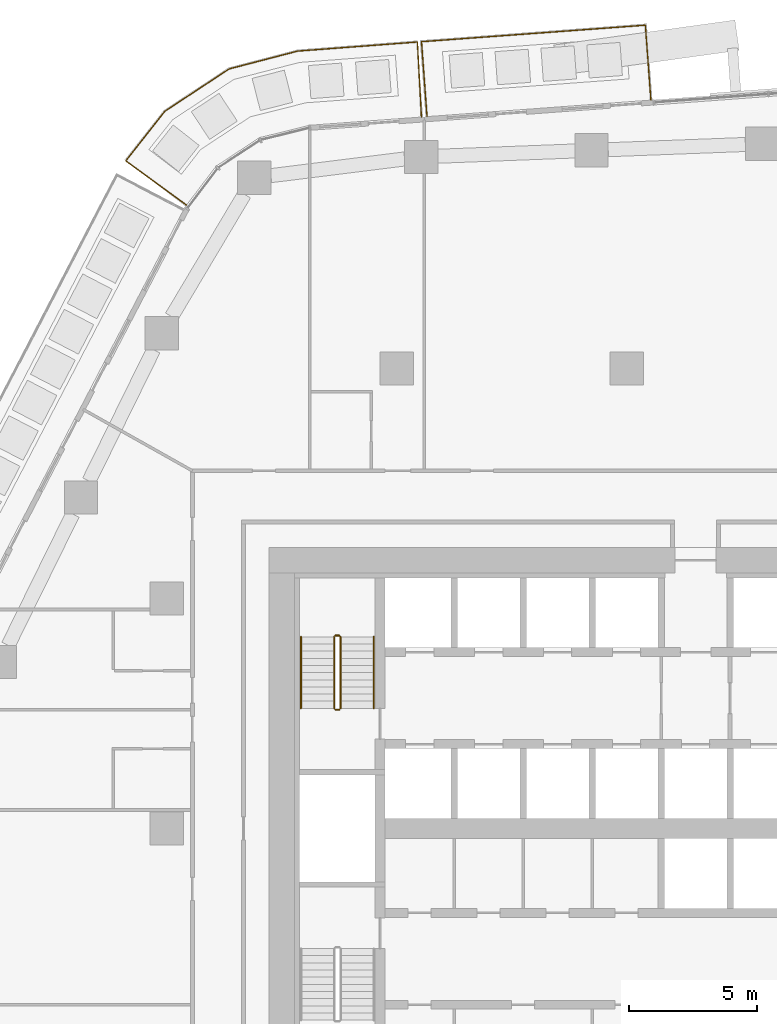
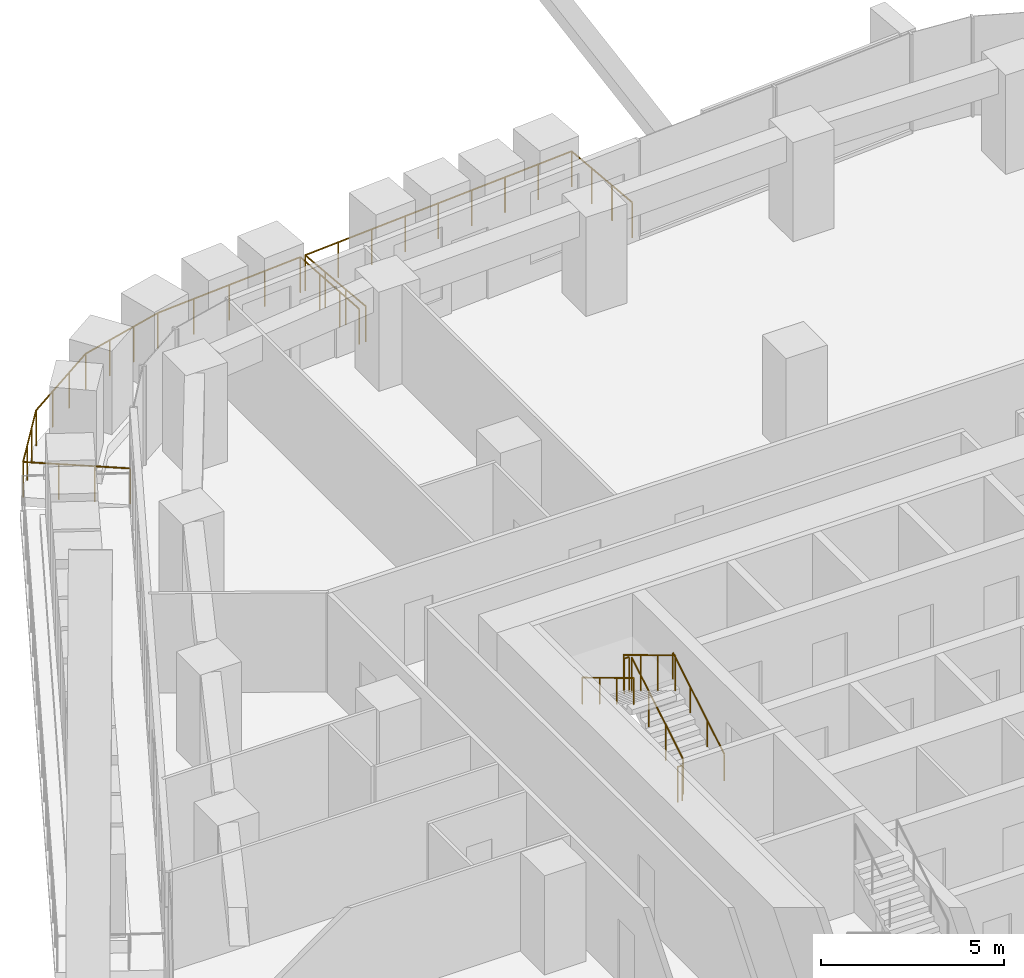
# One storey, part 22 of 24: 8 railings.
"""IFC4 building model written with IfcOpenShell, lengths in metres."""

import ifcopenshell
import ifcopenshell.guid

model = None  # the IFC model being written
_history = None  # IfcOwnerHistory: only IFC2X3 demands one
_inside = {}  # id of a spatial element -> (the spatial element, [elements in it])
_under = {}  # id of a project, library or spatial element -> (it, [spatial elements below it])
_declared = {}  # id of a project -> (the project, [libraries it declares])
_typed = {}  # id of a type object -> (the type object, [elements of that type])
_made_of = {}  # id of a material, layer set ... -> (it, [elements and type objects made of it])


def new_model(schema):
    """Start an empty IFC model of exactly this schema.

    Asked for "IFC4X3", IfcOpenShell would pick the latest addendum, in which some entities
    have other attributes; the version numbers below select the first issue.
    IFC2X3 requires an IfcOwnerHistory on every rooted entity: one is made here for all.
    """
    global model, _history
    if schema == "IFC4X3":
        model = ifcopenshell.file(schema_version=(4, 3, 0, 0))
    else:
        model = ifcopenshell.file(schema=schema)
    _inside.clear()
    _under.clear()
    _declared.clear()
    _typed.clear()
    _made_of.clear()
    _history = None
    if model.schema == "IFC2X3":
        org = make("IfcOrganization", Name="unknown")
        user = make(
            "IfcPersonAndOrganization",
            ThePerson=make("IfcPerson", FamilyName="unknown"),
            TheOrganization=org,
        )
        app = make(
            "IfcApplication",
            ApplicationDeveloper=org,
            Version="unknown",
            ApplicationFullName="unknown",
            ApplicationIdentifier="unknown",
        )
        _history = make(
            "IfcOwnerHistory",
            OwningUser=user,
            OwningApplication=app,
            ChangeAction="ADDED",
            CreationDate=0,
        )
    return model


def make(cls, **values):
    """One entity of the class cls with the attributes given. An attribute that is None is left unset."""
    return model.create_entity(
        cls, **{name: value for name, value in values.items() if value is not None}
    )


def rooted(cls, **values):
    """An entity with a GlobalId (a new one), such as an element, a storey or a relation."""
    return make(cls, GlobalId=ifcopenshell.guid.new(), OwnerHistory=_history, **values)


def si_unit(unit_type, name, prefix=None):
    """IfcSIUnit, for example si_unit("LENGTHUNIT", "METRE", prefix="MILLI")."""
    return make("IfcSIUnit", UnitType=unit_type, Prefix=prefix, Name=name)


def assignment(units):
    """IfcUnitAssignment: the units of a project."""
    return None if units is None else make("IfcUnitAssignment", Units=units)


def point(xyz):
    """IfcCartesianPoint."""
    return None if xyz is None else make("IfcCartesianPoint", Coordinates=xyz)


def direction(xyz):
    """IfcDirection."""
    return None if xyz is None else make("IfcDirection", DirectionRatios=xyz)


def frame(location, z_axis=None, x_axis=None):
    """IfcAxis2Placement3D, a coordinate frame: its origin and axes. An axis left out is left unset."""
    return make(
        "IfcAxis2Placement3D",
        Location=point(location),
        Axis=direction(z_axis),
        RefDirection=direction(x_axis),
    )


def frame_2d(location, x_axis=None):
    """IfcAxis2Placement2D, a coordinate frame in the plane: its origin and x axis."""
    return make(
        "IfcAxis2Placement2D", Location=point(location), RefDirection=direction(x_axis)
    )


def origin():
    """The frame at (0, 0, 0) with its axes left unset."""
    return frame((0.0, 0.0, 0.0))


def origin_2d():
    """The frame at (0, 0) in the plane with its x axis left unset."""
    return frame_2d((0.0, 0.0))


def place(relative_to, where):
    """IfcLocalPlacement: puts the frame where relative to a parent placement (None: the world)."""
    return make(
        "IfcLocalPlacement", PlacementRelTo=relative_to, RelativePlacement=where
    )


def context(
    kind, dimensions, precision=None, world=None, true_north=None, identifier=None
):
    """IfcGeometricRepresentationContext, for example the 3D "Model" context."""
    return make(
        "IfcGeometricRepresentationContext",
        ContextIdentifier=identifier,
        ContextType=kind,
        CoordinateSpaceDimension=dimensions,
        Precision=precision,
        WorldCoordinateSystem=world,
        TrueNorth=true_north,
    )


def subcontext(parent, identifier, kind, view, scale=None):
    """IfcGeometricRepresentationSubContext, for example "Body" below "Model"."""
    return make(
        "IfcGeometricRepresentationSubContext",
        ContextIdentifier=identifier,
        ContextType=kind,
        ParentContext=parent,
        TargetScale=scale,
        TargetView=view,
    )


def project(units=None, contexts=None):
    """IfcProject with its units and contexts."""
    return rooted(
        "IfcProject",
        Name="project",
        RepresentationContexts=contexts,
        UnitsInContext=assignment(units),
    )


def spatial(cls, under=None, at=None, **own):
    """A site, building, storey or space (cls), placed at a placement, below another one or the project."""
    s = rooted(cls, ObjectPlacement=at, **own)
    if under is not None:
        _under.setdefault(under.id(), (under, []))[1].append(s)
    return s


def profile(cls, at=None, kind="AREA", **sizes):
    """A parametric profile (cls). Its sizes go by their IFC names, for example OverallWidth=200.0."""
    return make(cls, ProfileType=kind, Position=at, **sizes)


def circle(**sizes):
    """IfcCircleProfileDef."""
    return profile("IfcCircleProfileDef", **sizes)


def extrude(swept, where, along, depth):
    """IfcExtrudedAreaSolid: the profile swept, set in the frame where, extruded along a direction by depth."""
    return make(
        "IfcExtrudedAreaSolid",
        SweptArea=swept,
        Position=where,
        ExtrudedDirection=direction(along),
        Depth=depth,
    )


def shape(context_of_items, identifier, shape_type, items):
    """IfcShapeRepresentation: the items that make up one representation, for example the "Body"."""
    return make(
        "IfcShapeRepresentation",
        ContextOfItems=context_of_items,
        RepresentationIdentifier=identifier,
        RepresentationType=shape_type,
        Items=items,
    )


def material(Name=None, Category=None):
    """IfcMaterial."""
    return make("IfcMaterial", Name=Name, Category=Category)


def made_of(thing, what):
    """Note that an element or type object is made of a material, layer set ...; save() writes the relation."""
    if what is not None:
        _made_of.setdefault(what.id(), (what, []))[1].append(thing)
    return thing


def type_object(cls, material=None, **own):
    """A type object (cls), such as IfcWallType, which elements share."""
    return made_of(rooted(cls, **own), material)


def element(
    cls,
    number,
    at=None,
    inside=None,
    cuts=None,
    type_object=None,
    material=None,
    context=None,
    identifier="Body",
    shape_type=None,
    held_by="IfcProductDefinitionShape",
    body=None,
    shapes=None,
    **own,
):
    """One element of the class cls, such as IfcWall. Its Tag is "e" and its number.

    at: its placement. inside: the storey or other place that contains it. cuts: it is an
    opening in that element (IfcRelVoidsElement). A single representation is given by context,
    identifier, shape_type and body (its items); several are given by shapes. held_by: the class
    of the entity that holds the representations. save() writes the other relations.
    """
    e = rooted(cls, Tag="e%d" % number, ObjectPlacement=at, **own)
    if body is not None:
        shapes = [shape(context, identifier, shape_type, body)]
    if shapes is not None:
        e.Representation = make(held_by, Representations=shapes)
    if inside is not None:
        _inside.setdefault(inside.id(), (inside, []))[1].append(e)
    if cuts is not None:
        rooted(
            "IfcRelVoidsElement", RelatingBuildingElement=cuts, RelatedOpeningElement=e
        )
    if type_object is not None:
        _typed.setdefault(type_object.id(), (type_object, []))[1].append(e)
    return made_of(e, material)


def aggregate(whole, parts):
    """IfcRelAggregates: a whole, such as a stair, and the parts it consists of."""
    return rooted("IfcRelAggregates", RelatingObject=whole, RelatedObjects=parts)


def save(model, path):
    """Write the relations noted so far, then the file.

    IfcRelAggregates (storeys below a building ...), IfcRelContainedInSpatialStructure (elements
    in a storey), IfcRelDefinesByType, IfcRelAssociatesMaterial and IfcRelDeclares: one each for
    every whole, place, type object, material and project.
    """
    for whole, parts in _under.values():
        aggregate(whole, parts)
    for where, things in _inside.values():
        rooted(
            "IfcRelContainedInSpatialStructure",
            RelatedElements=things,
            RelatingStructure=where,
        )
    for kind, things in _typed.values():
        rooted("IfcRelDefinesByType", RelatedObjects=things, RelatingType=kind)
    for what, things in _made_of.values():
        rooted("IfcRelAssociatesMaterial", RelatedObjects=things, RelatingMaterial=what)
    for by, libraries in _declared.values():
        rooted("IfcRelDeclares", RelatingContext=by, RelatedDefinitions=libraries)
    model.write(path)


model = new_model("IFC4")

# Units and contexts
model_context = context("Model", 3, precision=1e-05, world=origin(), true_north=direction((0.0, 1.0)))
body_context = subcontext(model_context, "Body", "Model", "MODEL_VIEW")
ifc_project = project(units=[si_unit("LENGTHUNIT", "METRE"), si_unit("AREAUNIT", "SQUARE_METRE"), si_unit("VOLUMEUNIT", "CUBIC_METRE"), si_unit("PLANEANGLEUNIT", "RADIAN"), si_unit("MASSUNIT", "GRAM", prefix="KILO")], contexts=[model_context])

# Site, building, storey
site_placement = place(None, origin())
site = spatial("IfcSite", under=ifc_project, at=site_placement, CompositionType="ELEMENT")
building_placement = place(site_placement, origin())
building = spatial("IfcBuilding", under=site, at=building_placement, Name="Dongbaek Canopy Tower", CompositionType="ELEMENT")
storey_placement = place(building_placement, frame((0.0, 0.0, 128.5)))
storey = spatial("IfcBuildingStorey", under=building, at=storey_placement, Name="L28", CompositionType="ELEMENT", Elevation=128.5)

# Railings
ifc_material_1 = material(Name="Stainless steel", Category="steel")
railing_type_1 = type_object("IfcRailingType", Name="Balcony balustrade 1200", PredefinedType="BALUSTRADE", material=ifc_material_1)
railing_1_placement = place(storey_placement, frame((0.94775390625, 28.5107421875, 0.0)))
element("IfcRailing", 1, at=railing_1_placement, inside=storey, type_object=railing_type_1, Name="Balcony guard L28 1", PredefinedType="BALUSTRADE", context=body_context, shape_type="SweptSolid", body=[
    extrude(circle(Radius=0.02392578125, at=origin_2d()), frame((0.0, 0.0, 1.17578125), z_axis=(-0.073489339085, 0.99729600272, 0.0), x_axis=(-0.99729600272, -0.073489339085, 0.0)), (0.0, 0.0, 1.0), 2.940185546875),
    extrude(circle(Radius=0.02392578125, at=origin_2d()), frame((-0.216064453125, 2.93212890625, 1.17578125), z_axis=(-0.997293170892, -0.07352775865, 0.0), x_axis=(0.07352775865, -0.997293170892, 0.0)), (0.0, 0.0, 1.0), 8.78564453125),
    extrude(circle(Radius=0.02392578125, at=origin_2d()), frame((-8.97802734375, 2.2861328125, 1.17578125), z_axis=(0.073489339085, -0.99729600272, 0.0), x_axis=(0.99729600272, 0.073489339085, 0.0)), (0.0, 0.0, 1.0), 2.940185546875),
    extrude(circle(Radius=0.02099609375, at=origin_2d()), origin(), (0.0, 0.0, 1.0), 1.15185546875),
    extrude(circle(Radius=0.02099609375, at=origin_2d()), frame((-0.072021484375, 0.977294921875, 0.0)), (0.0, 0.0, 1.0), 1.15185546875),
    extrude(circle(Radius=0.02099609375, at=origin_2d()), frame((-0.14404296875, 1.954833984375, 0.0)), (0.0, 0.0, 1.0), 1.15185546875),
    extrude(circle(Radius=0.02099609375, at=origin_2d()), frame((-0.216064453125, 2.93212890625, 0.0)), (0.0, 0.0, 1.0), 1.15185546875),
    extrude(circle(Radius=0.02099609375, at=origin_2d()), frame((-1.311279296875, 2.851318359375, 0.0)), (0.0, 0.0, 1.0), 1.15185546875),
    extrude(circle(Radius=0.02099609375, at=origin_2d()), frame((-2.406494140625, 2.7705078125, 0.0)), (0.0, 0.0, 1.0), 1.15185546875),
    extrude(circle(Radius=0.02099609375, at=origin_2d()), frame((-3.501708984375, 2.68994140625, 0.0)), (0.0, 0.0, 1.0), 1.15185546875),
    extrude(circle(Radius=0.02099609375, at=origin_2d()), frame((-4.59716796875, 2.609130859375, 0.0)), (0.0, 0.0, 1.0), 1.15185546875),
    extrude(circle(Radius=0.02099609375, at=origin_2d()), frame((-5.6923828125, 2.5283203125, 0.0)), (0.0, 0.0, 1.0), 1.15185546875),
    extrude(circle(Radius=0.02099609375, at=origin_2d()), frame((-6.78759765625, 2.44775390625, 0.0)), (0.0, 0.0, 1.0), 1.15185546875),
    extrude(circle(Radius=0.02099609375, at=origin_2d()), frame((-7.8828125, 2.366943359375, 0.0)), (0.0, 0.0, 1.0), 1.15185546875),
    extrude(circle(Radius=0.02099609375, at=origin_2d()), frame((-8.97802734375, 2.2861328125, 0.0)), (0.0, 0.0, 1.0), 1.15185546875),
    extrude(circle(Radius=0.02099609375, at=origin_2d()), frame((-8.906005859375, 1.308837890625, 0.0)), (0.0, 0.0, 1.0), 1.15185546875),
    extrude(circle(Radius=0.02099609375, at=origin_2d()), frame((-8.833984375, 0.331298828125, 0.0)), (0.0, 0.0, 1.0), 1.15185546875),
    extrude(circle(Radius=0.02099609375, at=origin_2d()), frame((-8.761962890625, -0.64599609375, 0.0)), (0.0, 0.0, 1.0), 1.15185546875),
])
railing_2_placement = place(storey_placement, frame((-8.033447265625, 27.8486328125, 0.0)))
element("IfcRailing", 2, at=railing_2_placement, inside=storey, type_object=railing_type_1, Name="Balcony guard L28 6", PredefinedType="BALUSTRADE", context=body_context, shape_type="SweptSolid", body=[
    extrude(circle(Radius=0.02392578125, at=origin_2d()), frame((0.0, 0.0, 1.17578125), z_axis=(-0.053216801753, 0.998582982036, 0.0), x_axis=(-0.998582982036, -0.053216801753, 0.0)), (0.0, 0.0, 1.0), 2.940673828125),
    extrude(circle(Radius=0.02392578125, at=origin_2d()), frame((-0.156494140625, 2.9365234375, 1.17578125), z_axis=(-0.997125831941, -0.075763284491, 0.0), x_axis=(0.075763284491, -0.997125831941, 0.0)), (0.0, 0.0, 1.0), 4.701416015625),
    extrude(circle(Radius=0.02392578125, at=origin_2d()), frame((-4.844482421875, 2.580322265625, 1.17578125), z_axis=(-0.967791156574, -0.251754398686, 0.0), x_axis=(0.251754398686, -0.967791156574, 0.0)), (0.0, 0.0, 1.0), 2.76953125),
    extrude(circle(Radius=0.02392578125, at=origin_2d()), frame((-7.52490234375, 1.883056640625, 1.17578125), z_axis=(-0.835286007651, -0.549815683137, 0.0), x_axis=(0.549815683137, -0.835286007651, 0.0)), (0.0, 0.0, 1.0), 3.016357421875),
    extrude(circle(Radius=0.02392578125, at=origin_2d()), frame((-10.04443359375, 0.224609375, 1.17578125), z_axis=(-0.618384358622, -0.785875807626, 0.0), x_axis=(0.785875807626, -0.618384358622, 0.0)), (0.0, 0.0, 1.0), 2.470703125),
    extrude(circle(Radius=0.02392578125, at=origin_2d()), frame((-11.572265625, -1.717041015625, 1.17578125), z_axis=(0.808466739516, -0.5885418686, 0.0), x_axis=(0.5885418686, 0.808466739516, 0.0)), (0.0, 0.0, 1.0), 2.940673828125),
    extrude(circle(Radius=0.02099609375, at=origin_2d()), origin(), (0.0, 0.0, 1.0), 1.15185546875),
    extrude(circle(Radius=0.02099609375, at=origin_2d()), frame((-0.05224609375, 0.978759765625, 0.0)), (0.0, 0.0, 1.0), 1.15185546875),
    extrude(circle(Radius=0.02099609375, at=origin_2d()), frame((-0.104248046875, 1.957763671875, 0.0)), (0.0, 0.0, 1.0), 1.15185546875),
    extrude(circle(Radius=0.02099609375, at=origin_2d()), frame((-0.156494140625, 2.9365234375, 0.0)), (0.0, 0.0, 1.0), 1.15185546875),
    extrude(circle(Radius=0.02099609375, at=origin_2d()), frame((-1.32861328125, 2.847412109375, 0.0)), (0.0, 0.0, 1.0), 1.15185546875),
    extrude(circle(Radius=0.02099609375, at=origin_2d()), frame((-2.50048828125, 2.75830078125, 0.0)), (0.0, 0.0, 1.0), 1.15185546875),
    extrude(circle(Radius=0.02099609375, at=origin_2d()), frame((-3.67236328125, 2.66943359375, 0.0)), (0.0, 0.0, 1.0), 1.15185546875),
    extrude(circle(Radius=0.02099609375, at=origin_2d()), frame((-4.844482421875, 2.580322265625, 0.0)), (0.0, 0.0, 1.0), 1.15185546875),
    extrude(circle(Radius=0.02099609375, at=origin_2d()), frame((-5.738037109375, 2.347900390625, 0.0)), (0.0, 0.0, 1.0), 1.15185546875),
    extrude(circle(Radius=0.02099609375, at=origin_2d()), frame((-6.63134765625, 2.115478515625, 0.0)), (0.0, 0.0, 1.0), 1.15185546875),
    extrude(circle(Radius=0.02099609375, at=origin_2d()), frame((-7.52490234375, 1.883056640625, 0.0)), (0.0, 0.0, 1.0), 1.15185546875),
    extrude(circle(Radius=0.02099609375, at=origin_2d()), frame((-8.36474609375, 1.330322265625, 0.0)), (0.0, 0.0, 1.0), 1.15185546875),
    extrude(circle(Radius=0.02099609375, at=origin_2d()), frame((-9.20458984375, 0.77734375, 0.0)), (0.0, 0.0, 1.0), 1.15185546875),
    extrude(circle(Radius=0.02099609375, at=origin_2d()), frame((-10.04443359375, 0.224609375, 0.0)), (0.0, 0.0, 1.0), 1.15185546875),
    extrude(circle(Radius=0.02099609375, at=origin_2d()), frame((-10.5537109375, -0.422607421875, 0.0)), (0.0, 0.0, 1.0), 1.15185546875),
    extrude(circle(Radius=0.02099609375, at=origin_2d()), frame((-11.06298828125, -1.06982421875, 0.0)), (0.0, 0.0, 1.0), 1.15185546875),
    extrude(circle(Radius=0.02099609375, at=origin_2d()), frame((-11.572265625, -1.717041015625, 0.0)), (0.0, 0.0, 1.0), 1.15185546875),
    extrude(circle(Radius=0.02099609375, at=origin_2d()), frame((-10.77978515625, -2.2939453125, 0.0)), (0.0, 0.0, 1.0), 1.15185546875),
    extrude(circle(Radius=0.02099609375, at=origin_2d()), frame((-9.9873046875, -2.870849609375, 0.0)), (0.0, 0.0, 1.0), 1.15185546875),
    extrude(circle(Radius=0.02099609375, at=origin_2d()), frame((-9.19482421875, -3.44775390625, 0.0)), (0.0, 0.0, 1.0), 1.15185546875),
])
ifc_material_2 = material(Name="Stainless steel tube and balusters", Category="steel")
railing_type_2 = type_object("IfcRailingType", Name="Stair guard 1200", PredefinedType="GUARDRAIL", material=ifc_material_2)
railing_3_placement = place(storey_placement, frame((-11.199951171875, 4.699951171875, 0.168212890625)))
element("IfcRailing", 3, at=railing_3_placement, inside=storey, type_object=railing_type_2, Name="L28 ST-C stair guard 1", PredefinedType="GUARDRAIL", context=body_context, shape_type="SweptSolid", body=[
    extrude(circle(Radius=0.02392578125, at=origin_2d()), frame((0.0, 0.0, 1.17578125), z_axis=(0.0, 0.857242210791, 0.514913383045), x_axis=(-1.0, 0.0, 0.0)), (0.0, 0.0, 1.0), 3.266357421875),
    extrude(circle(Radius=0.02099609375, at=origin_2d()), origin(), (0.0, 0.0, 1.0), 1.15185546875),
    extrude(circle(Radius=0.02099609375, at=origin_2d()), frame((0.0, 0.933349609375, 0.560546875)), (0.0, 0.0, 1.0), 1.15185546875),
    extrude(circle(Radius=0.02099609375, at=origin_2d()), frame((0.0, 1.86669921875, 1.121337890625)), (0.0, 0.0, 1.0), 1.15185546875),
    extrude(circle(Radius=0.02099609375, at=origin_2d()), frame((0.0, 2.800048828125, 1.681884765625)), (0.0, 0.0, 1.0), 1.15185546875),
])
railing_4_placement = place(storey_placement, frame((-11.25, 7.550048828125, 1.85009765625)))
element("IfcRailing", 4, at=railing_4_placement, inside=storey, type_object=railing_type_2, Name="L28 ST-C stair guard 2", PredefinedType="GUARDRAIL", context=body_context, shape_type="SweptSolid", body=[
    extrude(circle(Radius=0.02392578125, at=origin_2d()), frame((0.0, 0.0, 1.17578125), z_axis=(-1.0, 0.0, 0.0), x_axis=(0.0, -1.0, 0.0)), (0.0, 0.0, 1.0), 0.14990234375),
    extrude(circle(Radius=0.02099609375, at=origin_2d()), origin(), (0.0, 0.0, 1.0), 1.15185546875),
    extrude(circle(Radius=0.02099609375, at=origin_2d()), frame((-0.14990234375, 0.0, 0.0)), (0.0, 0.0, 1.0), 1.15185546875),
])
railing_5_placement = place(storey_placement, frame((-11.449951171875, 7.5, 2.01806640625)))
element("IfcRailing", 5, at=railing_5_placement, inside=storey, type_object=railing_type_2, Name="L28 ST-C stair guard 3", PredefinedType="GUARDRAIL", context=body_context, shape_type="SweptSolid", body=[
    extrude(circle(Radius=0.02392578125, at=origin_2d()), frame((0.0, 0.0, 1.17578125), z_axis=(0.0, -0.857242210791, 0.514913383045), x_axis=(1.0, 0.0, 0.0)), (0.0, 0.0, 1.0), 3.266357421875),
    extrude(circle(Radius=0.02099609375, at=origin_2d()), origin(), (0.0, 0.0, 1.0), 1.15185546875),
    extrude(circle(Radius=0.02099609375, at=origin_2d()), frame((0.0, -0.933349609375, 0.560546875)), (0.0, 0.0, 1.0), 1.15185546875),
    extrude(circle(Radius=0.02099609375, at=origin_2d()), frame((0.0, -1.86669921875, 1.121337890625)), (0.0, 0.0, 1.0), 1.15185546875),
    extrude(circle(Radius=0.02099609375, at=origin_2d()), frame((0.0, -2.800048828125, 1.681884765625)), (0.0, 0.0, 1.0), 1.15185546875),
])
railing_6_placement = place(storey_placement, frame((-11.25, 4.64990234375, 0.0)))
element("IfcRailing", 6, at=railing_6_placement, inside=storey, type_object=railing_type_2, Name="L28 ST-C stair guard 4", PredefinedType="GUARDRAIL", context=body_context, shape_type="SweptSolid", body=[
    extrude(circle(Radius=0.02392578125, at=origin_2d()), frame((0.0, 0.0, 1.17578125), z_axis=(-1.0, 0.0, 0.0), x_axis=(0.0, -1.0, 0.0)), (0.0, 0.0, 1.0), 0.14990234375),
    extrude(circle(Radius=0.02099609375, at=origin_2d()), origin(), (0.0, 0.0, 1.0), 1.15185546875),
    extrude(circle(Radius=0.02099609375, at=origin_2d()), frame((-0.14990234375, 0.0, 0.0)), (0.0, 0.0, 1.0), 1.15185546875),
])
ifc_material_3 = material(Name="Stainless steel tube", Category="steel")
railing_type_3 = type_object("IfcRailingType", Name="Stair handrail 900", PredefinedType="HANDRAIL", material=ifc_material_3)
railing_7_placement = place(storey_placement, frame((-9.89990234375, 4.699951171875, 0.168212890625)))
element("IfcRailing", 7, at=railing_7_placement, inside=storey, type_object=railing_type_3, Name="L28 ST-C stair handrail 1", PredefinedType="HANDRAIL", context=body_context, shape_type="SweptSolid", body=[
    extrude(circle(Radius=0.02392578125, at=origin_2d()), frame((0.0, 0.0, 0.8759765625), z_axis=(0.0, 0.857242210791, 0.514913383045), x_axis=(-1.0, 0.0, 0.0)), (0.0, 0.0, 1.0), 3.266357421875),
    extrude(circle(Radius=0.02099609375, at=origin_2d()), origin(), (0.0, 0.0, 1.0), 0.851806640625),
    extrude(circle(Radius=0.02099609375, at=origin_2d()), frame((0.0, 0.933349609375, 0.560546875)), (0.0, 0.0, 1.0), 0.851806640625),
    extrude(circle(Radius=0.02099609375, at=origin_2d()), frame((0.0, 1.86669921875, 1.121337890625)), (0.0, 0.0, 1.0), 0.851806640625),
    extrude(circle(Radius=0.02099609375, at=origin_2d()), frame((0.0, 2.800048828125, 1.681884765625)), (0.0, 0.0, 1.0), 0.851806640625),
])
railing_8_placement = place(storey_placement, frame((-12.75, 7.5, 2.01806640625)))
element("IfcRailing", 8, at=railing_8_placement, inside=storey, type_object=railing_type_3, Name="L28 ST-C stair handrail 2", PredefinedType="HANDRAIL", context=body_context, shape_type="SweptSolid", body=[
    extrude(circle(Radius=0.02392578125, at=origin_2d()), frame((0.0, 0.0, 0.8759765625), z_axis=(0.0, -0.857242210791, 0.514913383045), x_axis=(1.0, 0.0, 0.0)), (0.0, 0.0, 1.0), 3.266357421875),
    extrude(circle(Radius=0.02099609375, at=origin_2d()), origin(), (0.0, 0.0, 1.0), 0.851806640625),
    extrude(circle(Radius=0.02099609375, at=origin_2d()), frame((0.0, -0.933349609375, 0.560546875)), (0.0, 0.0, 1.0), 0.851806640625),
    extrude(circle(Radius=0.02099609375, at=origin_2d()), frame((0.0, -1.86669921875, 1.121337890625)), (0.0, 0.0, 1.0), 0.851806640625),
    extrude(circle(Radius=0.02099609375, at=origin_2d()), frame((0.0, -2.800048828125, 1.681884765625)), (0.0, 0.0, 1.0), 0.851806640625),
])

save(model, "model.ifc")
